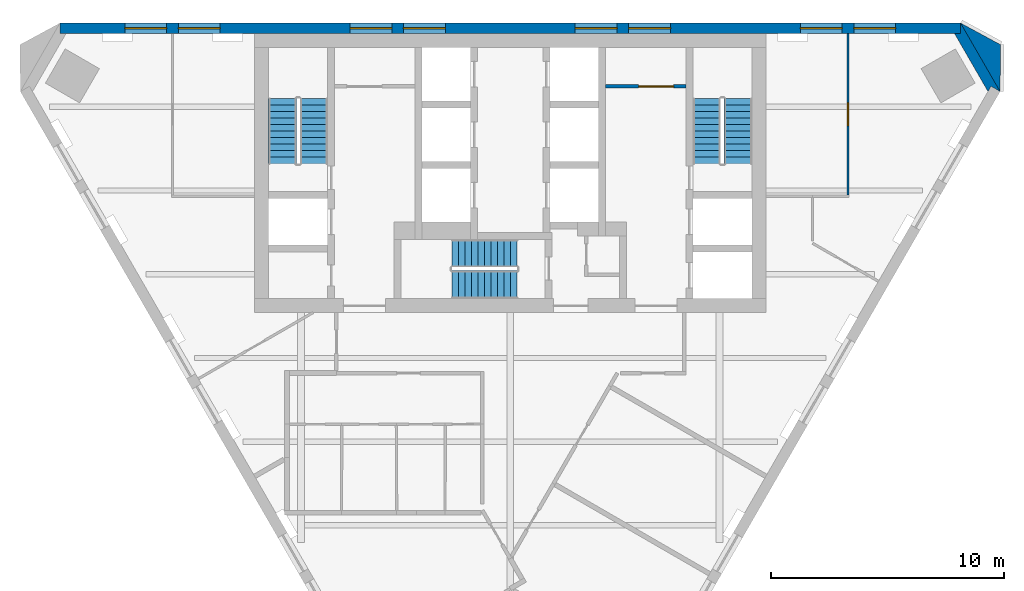
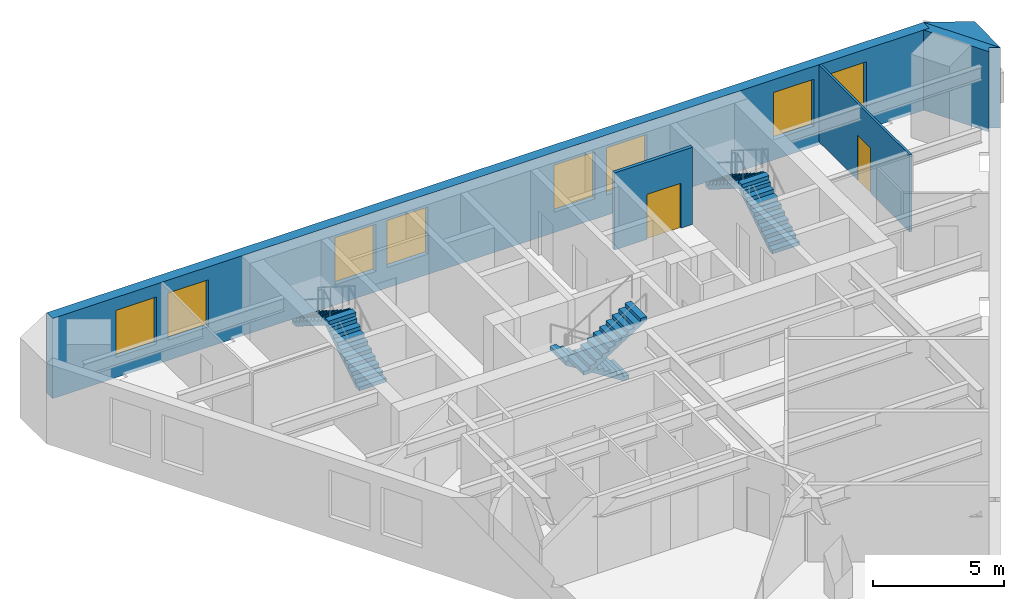
# One storey, part 5 of 6: 8 windows, 6 stair flights, 5 walls, 2 doors, 10 openings, 3 elements without a shape of their own.
"""IFC4 building model written with IfcOpenShell, lengths in metres."""

from ifc_helpers import new_model, si_unit, direction, frame, frame_2d, origin, place, context, subcontext, project, spatial, polyline, rectangle, outline, extrude, material, layer, layer_set, type_object, element, fill, aggregate, save


model = new_model("IFC4")

# Units and contexts
model_context = context("Model", 3, precision=1e-05, world=origin(), true_north=direction((0.0, 1.0)))
body_context = subcontext(model_context, "Body", "Model", "MODEL_VIEW")
ifc_project = project(units=[si_unit("LENGTHUNIT", "METRE"), si_unit("AREAUNIT", "SQUARE_METRE"), si_unit("VOLUMEUNIT", "CUBIC_METRE"), si_unit("PLANEANGLEUNIT", "RADIAN"), si_unit("MASSUNIT", "GRAM", prefix="KILO")], contexts=[model_context])

# Site, building, storey
site_placement = place(None, origin())
site = spatial("IfcSite", under=ifc_project, at=site_placement, CompositionType="ELEMENT")
building_placement = place(site_placement, origin())
building = spatial("IfcBuilding", under=site, at=building_placement, Name="Aloe Facet Convention Tower", CompositionType="ELEMENT")
storey_placement = place(building_placement, frame((0.0, 0.0, 223.10009765625)))
storey = spatial("IfcBuildingStorey", under=building, at=storey_placement, Name="L56", CompositionType="ELEMENT", Elevation=223.10009765625)

# Wall, opening, door
ifc_material_1 = material(Name="Concrete blockwork partition", Category="masonry")
ifc_layer_1 = layer(ifc_material_1, 0.14990234375)
ifc_layer_set_1 = layer_set([ifc_layer_1], Name="CR-W-PART150")
wall_type_1 = type_object("IfcWallType", Name="CR-W-PART150", PredefinedType="PARTITIONING", material=ifc_layer_set_1)
wall_1_placement = place(storey_placement, frame((84.10009765625, 132.27490234375, 0.0), z_axis=(0.0, 0.0, 1.0), x_axis=(1.0, 0.0, 0.0)))
wall_1 = element("IfcWall", 1, at=wall_1_placement, inside=storey, type_object=wall_type_1, Name="Core partition L56-025", PredefinedType="PARTITIONING", context=body_context, shape_type="SweptSolid", body=[
    extrude(rectangle(XDim=3.449951171875, YDim=0.14990234375, at=frame_2d((1.72509765625, 0.0))), origin(), (0.0, 0.0, 1.0), 3.599853515625),
])
opening_1_placement = place(wall_1_placement, frame((1.425048828125, 0.0, 0.0)))
opening_1 = element("IfcOpeningElement", 2, at=opening_1_placement, cuts=wall_1, Name="Opening L56-CD13", PredefinedType="OPENING", context=body_context, shape_type="SweptSolid", body=[
    extrude(rectangle(XDim=1.5, YDim=2.10009765625, at=frame_2d((0.75, 1.050048828125))), frame((0.0, 0.0849609375, 0.0), z_axis=(0.0, -1.0, 0.0), x_axis=(1.0, 0.0, 0.0)), (0.0, 0.0, 1.0), 0.169921875),
])
ifc_material_2 = material(Name="Steel fire-resisting door set FD60", Category="steel")
door_type_1 = type_object("IfcDoorType", Name="CR-D-REFUGE-1500-FD60-DD", OperationType="DOUBLE_DOOR_DOUBLE_SWING", PredefinedType="DOOR", material=ifc_material_2)
door_1_placement = place(opening_1_placement, origin())
door_1 = element("IfcDoor", 3, at=door_1_placement, inside=storey, type_object=door_type_1, Name="Core door L56-CD13", OperationType="DOUBLE_DOOR_DOUBLE_SWING", OverallHeight=2.10009765625, OverallWidth=1.5, PredefinedType="DOOR", context=body_context, shape_type="SweptSolid", body=[
    extrude(rectangle(XDim=1.5, YDim=2.10009765625, at=frame_2d((0.75, 1.050048828125))), frame((0.0, 0.02490234375, 0.0), z_axis=(0.0, -1.0, 0.0), x_axis=(1.0, 0.0, 0.0)), (0.0, 0.0, 1.0), 0.050048828125),
])
fill(opening_1, door_1)

# Walls
ifc_material_3 = material(Name="Precast concrete C40/50", Category="concrete")
ifc_layer_2 = layer(ifc_material_3, 0.449951171875)
ifc_layer_set_2 = layer_set([ifc_layer_2], Name="EV-WALL-PIER")
wall_type_2 = type_object("IfcWallType", Name="EV-WALL-PIER", PredefinedType="SOLIDWALL", material=ifc_layer_set_2)
wall_2_placement = place(storey_placement, frame((0.0, 0.0, -0.150146484375)))
element("IfcWall", 4, at=wall_2_placement, inside=storey, type_object=wall_type_2, Name="EP-L56-C", PredefinedType="SOLIDWALL", context=body_context, shape_type="SweptSolid", body=[
    extrude(outline(polyline([(101.064697265625, 132.055419921875), (100.6748046875, 132.280517578125), (100.544921875, 132.055419921875), (99.104736328125, 134.550048828125), (99.364501953125, 134.550048828125), (99.364501953125, 135.0), (101.064697265625, 132.055419921875)])), origin(), (0.0, 0.0, 1.0), 3.75),
])
ifc_material_4 = material(Name="Precast concrete C40/50", Category="concrete")
ifc_layer_3 = layer(ifc_material_4, 3.947998046875)
ifc_layer_set_3 = layer_set([ifc_layer_3], Name="EV-WALL-SPINE")
wall_type_3 = type_object("IfcWallType", Name="EV-WALL-SPINE", PredefinedType="SOLIDWALL", material=ifc_layer_set_3)
wall_3_placement = place(storey_placement, frame((0.0, 0.0, -0.150146484375)))
element("IfcWall", 5, at=wall_3_placement, inside=storey, type_object=wall_type_3, Name="SP-NE-L56", PredefinedType="SOLIDWALL", context=body_context, shape_type="SweptSolid", body=[
    extrude(outline(polyline([(101.064697265625, 132.055419921875), (101.08203125, 134.0703125), (99.364501953125, 135.0), (101.064697265625, 132.055419921875)])), origin(), (0.0, 0.0, 1.0), 3.75),
])

# Wall, openings, windows
ifc_material_5 = material(Name="Precast concrete C40/50", Category="concrete")
ifc_layer_4 = layer(ifc_material_5, 0.449951171875)
ifc_layer_set_4 = layer_set([ifc_layer_4], Name="EV-WALL-STONE")
wall_type_4 = type_object("IfcWallType", Name="EV-WALL-STONE", PredefinedType="SOLIDWALL", material=ifc_layer_set_4)
wall_4_placement = place(storey_placement, frame((99.364501953125, 134.77490234375, -0.150146484375), z_axis=(0.0, 0.0, 1.0), x_axis=(-1.0, 0.0, 0.0)))
wall_4 = element("IfcWall", 6, at=wall_4_placement, inside=storey, type_object=wall_type_4, Name="EW-L56-N01", PredefinedType="SOLIDWALL", context=body_context, shape_type="SweptSolid", body=[
    extrude(outline(polyline([(38.729248046875, 0.0), (38.729248046875, 3.75), (0.0, 3.75), (0.0, 0.0), (38.729248046875, 0.0)])), frame((0.0, 0.22509765625, 0.0), z_axis=(0.0, -1.0, 0.0), x_axis=(1.0, 0.0, 0.0)), (0.0, 0.0, 1.0), 0.449951171875),
])
opening_2_placement = place(wall_4_placement, frame((2.791259765625, 0.0, 0.949951171875)))
opening_2 = element("IfcOpeningElement", 7, at=opening_2_placement, cuts=wall_4, Name="Opening W-L56-N01", PredefinedType="OPENING", context=body_context, shape_type="SweptSolid", body=[
    extrude(rectangle(XDim=1.800048828125, YDim=2.199951171875, at=frame_2d((0.89990234375, 1.10009765625))), frame((0.0, 0.23486328125, 0.0), z_axis=(0.0, -1.0, 0.0), x_axis=(1.0, 0.0, 0.0)), (0.0, 0.0, 1.0), 0.469970703125),
])
opening_3_placement = place(wall_4_placement, frame((5.091064453125, 0.0, 0.949951171875)))
opening_3 = element("IfcOpeningElement", 8, at=opening_3_placement, cuts=wall_4, Name="Opening W-L56-N02", PredefinedType="OPENING", context=body_context, shape_type="SweptSolid", body=[
    extrude(rectangle(XDim=1.800048828125, YDim=2.199951171875, at=frame_2d((0.89990234375, 1.10009765625))), frame((0.0, 0.23486328125, 0.0), z_axis=(0.0, -1.0, 0.0), x_axis=(1.0, 0.0, 0.0)), (0.0, 0.0, 1.0), 0.469970703125),
])
opening_4_placement = place(wall_4_placement, frame((12.473388671875, 0.0, 0.949951171875)))
opening_4 = element("IfcOpeningElement", 9, at=opening_4_placement, cuts=wall_4, Name="Opening W-L56-N03", PredefinedType="OPENING", context=body_context, shape_type="SweptSolid", body=[
    extrude(rectangle(XDim=1.800048828125, YDim=2.199951171875, at=frame_2d((0.89990234375, 1.10009765625))), frame((0.0, 0.23486328125, 0.0), z_axis=(0.0, -1.0, 0.0), x_axis=(1.0, 0.0, 0.0)), (0.0, 0.0, 1.0), 0.469970703125),
])
opening_5_placement = place(wall_4_placement, frame((14.7734375, 0.0, 0.949951171875)))
opening_5 = element("IfcOpeningElement", 10, at=opening_5_placement, cuts=wall_4, Name="Opening W-L56-N04", PredefinedType="OPENING", context=body_context, shape_type="SweptSolid", body=[
    extrude(rectangle(XDim=1.800048828125, YDim=2.199951171875, at=frame_2d((0.89990234375, 1.10009765625))), frame((0.0, 0.23486328125, 0.0), z_axis=(0.0, -1.0, 0.0), x_axis=(1.0, 0.0, 0.0)), (0.0, 0.0, 1.0), 0.469970703125),
])
opening_6_placement = place(wall_4_placement, frame((22.15576171875, 0.0, 0.949951171875)))
opening_6 = element("IfcOpeningElement", 11, at=opening_6_placement, cuts=wall_4, Name="Opening W-L56-N05", PredefinedType="OPENING", context=body_context, shape_type="SweptSolid", body=[
    extrude(rectangle(XDim=1.800048828125, YDim=2.199951171875, at=frame_2d((0.89990234375, 1.10009765625))), frame((0.0, 0.23486328125, 0.0), z_axis=(0.0, -1.0, 0.0), x_axis=(1.0, 0.0, 0.0)), (0.0, 0.0, 1.0), 0.469970703125),
])
opening_7_placement = place(wall_4_placement, frame((24.455810546875, 0.0, 0.949951171875)))
opening_7 = element("IfcOpeningElement", 12, at=opening_7_placement, cuts=wall_4, Name="Opening W-L56-N06", PredefinedType="OPENING", context=body_context, shape_type="SweptSolid", body=[
    extrude(rectangle(XDim=1.800048828125, YDim=2.199951171875, at=frame_2d((0.89990234375, 1.10009765625))), frame((0.0, 0.23486328125, 0.0), z_axis=(0.0, -1.0, 0.0), x_axis=(1.0, 0.0, 0.0)), (0.0, 0.0, 1.0), 0.469970703125),
])
opening_8_placement = place(wall_4_placement, frame((31.838134765625, 0.0, 0.949951171875)))
opening_8 = element("IfcOpeningElement", 13, at=opening_8_placement, cuts=wall_4, Name="Opening W-L56-N07", PredefinedType="OPENING", context=body_context, shape_type="SweptSolid", body=[
    extrude(rectangle(XDim=1.800048828125, YDim=2.199951171875, at=frame_2d((0.89990234375, 1.10009765625))), frame((0.0, 0.23486328125, 0.0), z_axis=(0.0, -1.0, 0.0), x_axis=(1.0, 0.0, 0.0)), (0.0, 0.0, 1.0), 0.469970703125),
])
opening_9_placement = place(wall_4_placement, frame((34.13818359375, 0.0, 0.949951171875)))
opening_9 = element("IfcOpeningElement", 14, at=opening_9_placement, cuts=wall_4, Name="Opening W-L56-N08", PredefinedType="OPENING", context=body_context, shape_type="SweptSolid", body=[
    extrude(rectangle(XDim=1.800048828125, YDim=2.199951171875, at=frame_2d((0.89990234375, 1.10009765625))), frame((0.0, 0.23486328125, 0.0), z_axis=(0.0, -1.0, 0.0), x_axis=(1.0, 0.0, 0.0)), (0.0, 0.0, 1.0), 0.469970703125),
])
ifc_material_6 = material(Name="Aluminium frame, clear double glazing", Category="aluminium")
window_type = type_object("IfcWindowType", Name="EV-WIN-O18", PartitioningType="SINGLE_PANEL", PredefinedType="WINDOW", material=ifc_material_6)
window_1_placement = place(opening_2_placement, origin())
window_1 = element("IfcWindow", 15, at=window_1_placement, inside=storey, type_object=window_type, Name="W-L56-N01", OverallHeight=2.199951171875, OverallWidth=1.800048828125, PartitioningType="SINGLE_PANEL", PredefinedType="WINDOW", context=body_context, shape_type="SweptSolid", body=[
    extrude(rectangle(XDim=1.800048828125, YDim=2.199951171875, at=frame_2d((0.89990234375, 1.10009765625))), frame((0.0, 0.030029296875, 0.0), z_axis=(0.0, -1.0, 0.0), x_axis=(1.0, 0.0, 0.0)), (0.0, 0.0, 1.0), 0.06005859375),
])
fill(opening_2, window_1)
window_2_placement = place(opening_3_placement, origin())
window_2 = element("IfcWindow", 16, at=window_2_placement, inside=storey, type_object=window_type, Name="W-L56-N02", OverallHeight=2.199951171875, OverallWidth=1.800048828125, PartitioningType="SINGLE_PANEL", PredefinedType="WINDOW", context=body_context, shape_type="SweptSolid", body=[
    extrude(rectangle(XDim=1.800048828125, YDim=2.199951171875, at=frame_2d((0.89990234375, 1.10009765625))), frame((0.0, 0.030029296875, 0.0), z_axis=(0.0, -1.0, 0.0), x_axis=(1.0, 0.0, 0.0)), (0.0, 0.0, 1.0), 0.06005859375),
])
fill(opening_3, window_2)
window_3_placement = place(opening_4_placement, origin())
window_3 = element("IfcWindow", 17, at=window_3_placement, inside=storey, type_object=window_type, Name="W-L56-N03", OverallHeight=2.199951171875, OverallWidth=1.800048828125, PartitioningType="SINGLE_PANEL", PredefinedType="WINDOW", context=body_context, shape_type="SweptSolid", body=[
    extrude(rectangle(XDim=1.800048828125, YDim=2.199951171875, at=frame_2d((0.89990234375, 1.10009765625))), frame((0.0, 0.030029296875, 0.0), z_axis=(0.0, -1.0, 0.0), x_axis=(1.0, 0.0, 0.0)), (0.0, 0.0, 1.0), 0.06005859375),
])
fill(opening_4, window_3)
window_4_placement = place(opening_5_placement, origin())
window_4 = element("IfcWindow", 18, at=window_4_placement, inside=storey, type_object=window_type, Name="W-L56-N04", OverallHeight=2.199951171875, OverallWidth=1.800048828125, PartitioningType="SINGLE_PANEL", PredefinedType="WINDOW", context=body_context, shape_type="SweptSolid", body=[
    extrude(rectangle(XDim=1.800048828125, YDim=2.199951171875, at=frame_2d((0.89990234375, 1.10009765625))), frame((0.0, 0.030029296875, 0.0), z_axis=(0.0, -1.0, 0.0), x_axis=(1.0, 0.0, 0.0)), (0.0, 0.0, 1.0), 0.06005859375),
])
fill(opening_5, window_4)
window_5_placement = place(opening_6_placement, origin())
window_5 = element("IfcWindow", 19, at=window_5_placement, inside=storey, type_object=window_type, Name="W-L56-N05", OverallHeight=2.199951171875, OverallWidth=1.800048828125, PartitioningType="SINGLE_PANEL", PredefinedType="WINDOW", context=body_context, shape_type="SweptSolid", body=[
    extrude(rectangle(XDim=1.800048828125, YDim=2.199951171875, at=frame_2d((0.89990234375, 1.10009765625))), frame((0.0, 0.030029296875, 0.0), z_axis=(0.0, -1.0, 0.0), x_axis=(1.0, 0.0, 0.0)), (0.0, 0.0, 1.0), 0.06005859375),
])
fill(opening_6, window_5)
window_6_placement = place(opening_7_placement, origin())
window_6 = element("IfcWindow", 20, at=window_6_placement, inside=storey, type_object=window_type, Name="W-L56-N06", OverallHeight=2.199951171875, OverallWidth=1.800048828125, PartitioningType="SINGLE_PANEL", PredefinedType="WINDOW", context=body_context, shape_type="SweptSolid", body=[
    extrude(rectangle(XDim=1.800048828125, YDim=2.199951171875, at=frame_2d((0.89990234375, 1.10009765625))), frame((0.0, 0.030029296875, 0.0), z_axis=(0.0, -1.0, 0.0), x_axis=(1.0, 0.0, 0.0)), (0.0, 0.0, 1.0), 0.06005859375),
])
fill(opening_7, window_6)
window_7_placement = place(opening_8_placement, origin())
window_7 = element("IfcWindow", 21, at=window_7_placement, inside=storey, type_object=window_type, Name="W-L56-N07", OverallHeight=2.199951171875, OverallWidth=1.800048828125, PartitioningType="SINGLE_PANEL", PredefinedType="WINDOW", context=body_context, shape_type="SweptSolid", body=[
    extrude(rectangle(XDim=1.800048828125, YDim=2.199951171875, at=frame_2d((0.89990234375, 1.10009765625))), frame((0.0, 0.030029296875, 0.0), z_axis=(0.0, -1.0, 0.0), x_axis=(1.0, 0.0, 0.0)), (0.0, 0.0, 1.0), 0.06005859375),
])
fill(opening_8, window_7)
window_8_placement = place(opening_9_placement, origin())
window_8 = element("IfcWindow", 22, at=window_8_placement, inside=storey, type_object=window_type, Name="W-L56-N08", OverallHeight=2.199951171875, OverallWidth=1.800048828125, PartitioningType="SINGLE_PANEL", PredefinedType="WINDOW", context=body_context, shape_type="SweptSolid", body=[
    extrude(rectangle(XDim=1.800048828125, YDim=2.199951171875, at=frame_2d((0.89990234375, 1.10009765625))), frame((0.0, 0.030029296875, 0.0), z_axis=(0.0, -1.0, 0.0), x_axis=(1.0, 0.0, 0.0)), (0.0, 0.0, 1.0), 0.06005859375),
])
fill(opening_9, window_8)

# Wall, opening, door
ifc_material_7 = material(Name="Gypsum board partition on steel studs", Category="steel")
ifc_layer_5 = layer(ifc_material_7, 0.10009765625)
ifc_layer_set_5 = layer_set([ifc_layer_5], Name="IN-W-PART")
wall_type_5 = type_object("IfcWallType", Name="IN-W-PART", PredefinedType="PARTITIONING", material=ifc_layer_set_5)
wall_5_placement = place(storey_placement, frame((94.52294921875, 127.60009765625, 0.0), z_axis=(0.0, 0.0, 1.0), x_axis=(0.00049179746, 0.999999879068, 0.0)))
wall_5 = element("IfcWall", 23, at=wall_5_placement, inside=storey, type_object=wall_type_5, Name="Partition L56-W041", PredefinedType="PARTITIONING", context=body_context, shape_type="SweptSolid", body=[
    extrude(rectangle(XDim=6.949951171875, YDim=0.10009765625, at=frame_2d((3.47509765625, 0.0))), origin(), (0.0, 0.0, 1.0), 3.599853515625),
])
opening_10_placement = place(wall_5_placement, frame((2.974853515625, 0.0, 0.0)))
opening_10 = element("IfcOpeningElement", 24, at=opening_10_placement, cuts=wall_5, Name="Opening L56-006", PredefinedType="OPENING", context=body_context, shape_type="SweptSolid", body=[
    extrude(rectangle(XDim=1.0, YDim=2.10009765625, at=frame_2d((0.5, 1.050048828125))), frame((0.0, 0.06005859375, 0.0), z_axis=(0.0, -1.0, 0.0), x_axis=(1.0, 0.0, 0.0)), (0.0, 0.0, 1.0), 0.1201171875),
])
ifc_material_8 = material(Name="Timber door", Category="wood")
door_type_2 = type_object("IfcDoorType", Name="IN-OFF-D-WIDE", OperationType="SINGLE_SWING_LEFT", PredefinedType="DOOR", material=ifc_material_8)
door_2_placement = place(opening_10_placement, origin())
door_2 = element("IfcDoor", 25, at=door_2_placement, inside=storey, type_object=door_type_2, Name="Door L56-006", OperationType="SINGLE_SWING_LEFT", OverallHeight=2.10009765625, OverallWidth=1.0, PredefinedType="DOOR", context=body_context, shape_type="SweptSolid", body=[
    extrude(rectangle(XDim=1.0, YDim=2.10009765625, at=frame_2d((0.5, 1.050048828125))), frame((0.0, 0.02490234375, 0.0), z_axis=(0.0, -1.0, 0.0), x_axis=(1.0, 0.0, 0.0)), (0.0, 0.0, 1.0), 0.050048828125),
])
fill(opening_10, door_2)

# Stair, stair flights
ifc_material_9 = material(Name="Concrete C50/60", Category="concrete")
stair_type = type_object("IfcStairType", Name="CR-ST-22R", PredefinedType="HALF_TURN_STAIR", material=ifc_material_9)
stair_1_placement = place(storey_placement, origin())
stair_1 = element("IfcStair", 26, at=stair_1_placement, inside=storey, type_object=stair_type, Name="L56 Protected exit stair ST1", PredefinedType="HALF_TURN_STAIR")
ifc_material_10 = material(Name="Concrete C50/60", Category="concrete")
stair_flight_type = type_object("IfcStairFlightType", Name="CR-SFL-22R", PredefinedType="STRAIGHT", material=ifc_material_10)
stair_flight_1_placement = place(storey_placement, frame((71.550048828125, 128.949951171875, 0.0), z_axis=(0.0, 0.0, 1.0), x_axis=(0.0, 1.0, 0.0)))
stair_flight_1 = element("IfcStairFlight", 27, at=stair_flight_1_placement, type_object=stair_flight_type, Name="ST1 flight 1", NumberOfRisers=11, NumberOfTreads=10, PredefinedType="STRAIGHT", RiserHeight=0.177272727, TreadLength=0.28, context=body_context, shape_type="SweptSolid", body=[
    extrude(outline(polyline([(0.0, 0.0), (0.0, 0.17724609375), (0.280029296875, 0.17724609375), (0.280029296875, 0.3544921875), (0.56005859375, 0.3544921875), (0.56005859375, 0.53173828125), (0.840087890625, 0.53173828125), (0.840087890625, 0.708984375), (1.1201171875, 0.708984375), (1.1201171875, 0.886474609375), (1.39990234375, 0.886474609375), (1.39990234375, 1.063720703125), (1.679931640625, 1.063720703125), (1.679931640625, 1.240966796875), (1.9599609375, 1.240966796875), (1.9599609375, 1.418212890625), (2.239990234375, 1.418212890625), (2.239990234375, 1.595458984375), (2.52001953125, 1.595458984375), (2.52001953125, 1.772705078125), (2.800048828125, 1.772705078125), (2.800048828125, 1.949951171875), (2.800048828125, 1.59521484375), (0.2802734375, 0.0), (0.0, 0.0)])), frame((0.0, 0.60009765625, 0.0), z_axis=(0.0, -1.0, 0.0), x_axis=(1.0, 0.0, 0.0)), (0.0, 0.0, 1.0), 1.199951171875),
])
stair_flight_2_placement = place(storey_placement, frame((70.199951171875, 131.75, 1.949951171875), z_axis=(0.0, 0.0, 1.0), x_axis=(0.0, -1.0, 0.0)))
stair_flight_2 = element("IfcStairFlight", 28, at=stair_flight_2_placement, type_object=stair_flight_type, Name="ST1 flight 2", NumberOfRisers=11, NumberOfTreads=10, PredefinedType="STRAIGHT", RiserHeight=0.177272727, TreadLength=0.28, context=body_context, shape_type="SweptSolid", body=[
    extrude(outline(polyline([(0.0, 0.0), (0.0, 0.17724609375), (0.280029296875, 0.17724609375), (0.280029296875, 0.3544921875), (0.56005859375, 0.3544921875), (0.56005859375, 0.53173828125), (0.840087890625, 0.53173828125), (0.840087890625, 0.708984375), (1.1201171875, 0.708984375), (1.1201171875, 0.886474609375), (1.39990234375, 0.886474609375), (1.39990234375, 1.063720703125), (1.679931640625, 1.063720703125), (1.679931640625, 1.240966796875), (1.9599609375, 1.240966796875), (1.9599609375, 1.418212890625), (2.239990234375, 1.418212890625), (2.239990234375, 1.595458984375), (2.52001953125, 1.595458984375), (2.52001953125, 1.772705078125), (2.800048828125, 1.772705078125), (2.800048828125, 1.949951171875), (2.800048828125, 1.59521484375), (0.2802734375, 0.0), (0.0, 0.0)])), frame((0.0, 0.60009765625, 0.0), z_axis=(0.0, -1.0, 0.0), x_axis=(1.0, 0.0, 0.0)), (0.0, 0.0, 1.0), 1.199951171875),
])
aggregate(stair_1, [stair_flight_1, stair_flight_2])

stair_2_placement = place(storey_placement, origin())
stair_2 = element("IfcStair", 29, at=stair_2_placement, inside=storey, type_object=stair_type, Name="L56 Protected exit stair ST2", PredefinedType="HALF_TURN_STAIR")
stair_flight_3_placement = place(storey_placement, frame((89.800048828125, 128.949951171875, 0.0), z_axis=(0.0, 0.0, 1.0), x_axis=(0.0, 1.0, 0.0)))
stair_flight_3 = element("IfcStairFlight", 30, at=stair_flight_3_placement, type_object=stair_flight_type, Name="ST2 flight 1", NumberOfRisers=11, NumberOfTreads=10, PredefinedType="STRAIGHT", RiserHeight=0.177272727, TreadLength=0.28, context=body_context, shape_type="SweptSolid", body=[
    extrude(outline(polyline([(0.0, 0.0), (0.0, 0.17724609375), (0.280029296875, 0.17724609375), (0.280029296875, 0.3544921875), (0.56005859375, 0.3544921875), (0.56005859375, 0.53173828125), (0.840087890625, 0.53173828125), (0.840087890625, 0.708984375), (1.1201171875, 0.708984375), (1.1201171875, 0.886474609375), (1.39990234375, 0.886474609375), (1.39990234375, 1.063720703125), (1.679931640625, 1.063720703125), (1.679931640625, 1.240966796875), (1.9599609375, 1.240966796875), (1.9599609375, 1.418212890625), (2.239990234375, 1.418212890625), (2.239990234375, 1.595458984375), (2.52001953125, 1.595458984375), (2.52001953125, 1.772705078125), (2.800048828125, 1.772705078125), (2.800048828125, 1.949951171875), (2.800048828125, 1.59521484375), (0.2802734375, 0.0), (0.0, 0.0)])), frame((0.0, 0.60009765625, 0.0), z_axis=(0.0, -1.0, 0.0), x_axis=(1.0, 0.0, 0.0)), (0.0, 0.0, 1.0), 1.199951171875),
])
stair_flight_4_placement = place(storey_placement, frame((88.449951171875, 131.75, 1.949951171875), z_axis=(0.0, 0.0, 1.0), x_axis=(0.0, -1.0, 0.0)))
stair_flight_4 = element("IfcStairFlight", 31, at=stair_flight_4_placement, type_object=stair_flight_type, Name="ST2 flight 2", NumberOfRisers=11, NumberOfTreads=10, PredefinedType="STRAIGHT", RiserHeight=0.177272727, TreadLength=0.28, context=body_context, shape_type="SweptSolid", body=[
    extrude(outline(polyline([(0.0, 0.0), (0.0, 0.17724609375), (0.280029296875, 0.17724609375), (0.280029296875, 0.3544921875), (0.56005859375, 0.3544921875), (0.56005859375, 0.53173828125), (0.840087890625, 0.53173828125), (0.840087890625, 0.708984375), (1.1201171875, 0.708984375), (1.1201171875, 0.886474609375), (1.39990234375, 0.886474609375), (1.39990234375, 1.063720703125), (1.679931640625, 1.063720703125), (1.679931640625, 1.240966796875), (1.9599609375, 1.240966796875), (1.9599609375, 1.418212890625), (2.239990234375, 1.418212890625), (2.239990234375, 1.595458984375), (2.52001953125, 1.595458984375), (2.52001953125, 1.772705078125), (2.800048828125, 1.772705078125), (2.800048828125, 1.949951171875), (2.800048828125, 1.59521484375), (0.2802734375, 0.0), (0.0, 0.0)])), frame((0.0, 0.60009765625, 0.0), z_axis=(0.0, -1.0, 0.0), x_axis=(1.0, 0.0, 0.0)), (0.0, 0.0, 1.0), 1.199951171875),
])
aggregate(stair_2, [stair_flight_3, stair_flight_4])

stair_3_placement = place(storey_placement, origin())
stair_3 = element("IfcStair", 32, at=stair_3_placement, inside=storey, type_object=stair_type, Name="L56 Protected exit stair ST3", PredefinedType="HALF_TURN_STAIR")
stair_flight_5_placement = place(storey_placement, frame((80.300048828125, 125.10009765625, 0.0), z_axis=(0.0, 0.0, 1.0), x_axis=(-1.0, 0.0, 0.0)))
stair_flight_5 = element("IfcStairFlight", 33, at=stair_flight_5_placement, type_object=stair_flight_type, Name="ST3 flight 1", NumberOfRisers=11, NumberOfTreads=10, PredefinedType="STRAIGHT", RiserHeight=0.177272727, TreadLength=0.28, context=body_context, shape_type="SweptSolid", body=[
    extrude(outline(polyline([(0.0, 0.0), (0.0, 0.17724609375), (0.280029296875, 0.17724609375), (0.280029296875, 0.3544921875), (0.56005859375, 0.3544921875), (0.56005859375, 0.53173828125), (0.840087890625, 0.53173828125), (0.840087890625, 0.708984375), (1.1201171875, 0.708984375), (1.1201171875, 0.886474609375), (1.39990234375, 0.886474609375), (1.39990234375, 1.063720703125), (1.679931640625, 1.063720703125), (1.679931640625, 1.240966796875), (1.9599609375, 1.240966796875), (1.9599609375, 1.418212890625), (2.239990234375, 1.418212890625), (2.239990234375, 1.595458984375), (2.52001953125, 1.595458984375), (2.52001953125, 1.772705078125), (2.800048828125, 1.772705078125), (2.800048828125, 1.949951171875), (2.800048828125, 1.59521484375), (0.2802734375, 0.0), (0.0, 0.0)])), frame((0.0, 0.60009765625, 0.0), z_axis=(0.0, -1.0, 0.0), x_axis=(1.0, 0.0, 0.0)), (0.0, 0.0, 1.0), 1.199951171875),
])
stair_flight_6_placement = place(storey_placement, frame((77.5, 123.75, 1.949951171875), z_axis=(0.0, 0.0, 1.0), x_axis=(1.0, 0.0, 0.0)))
stair_flight_6 = element("IfcStairFlight", 34, at=stair_flight_6_placement, type_object=stair_flight_type, Name="ST3 flight 2", NumberOfRisers=11, NumberOfTreads=10, PredefinedType="STRAIGHT", RiserHeight=0.177272727, TreadLength=0.28, context=body_context, shape_type="SweptSolid", body=[
    extrude(outline(polyline([(0.0, 0.0), (0.0, 0.17724609375), (0.280029296875, 0.17724609375), (0.280029296875, 0.3544921875), (0.56005859375, 0.3544921875), (0.56005859375, 0.53173828125), (0.840087890625, 0.53173828125), (0.840087890625, 0.708984375), (1.1201171875, 0.708984375), (1.1201171875, 0.886474609375), (1.39990234375, 0.886474609375), (1.39990234375, 1.063720703125), (1.679931640625, 1.063720703125), (1.679931640625, 1.240966796875), (1.9599609375, 1.240966796875), (1.9599609375, 1.418212890625), (2.239990234375, 1.418212890625), (2.239990234375, 1.595458984375), (2.52001953125, 1.595458984375), (2.52001953125, 1.772705078125), (2.800048828125, 1.772705078125), (2.800048828125, 1.949951171875), (2.800048828125, 1.59521484375), (0.2802734375, 0.0), (0.0, 0.0)])), frame((0.0, 0.60009765625, 0.0), z_axis=(0.0, -1.0, 0.0), x_axis=(1.0, 0.0, 0.0)), (0.0, 0.0, 1.0), 1.199951171875),
])
aggregate(stair_3, [stair_flight_5, stair_flight_6])

save(model, "model.ifc")
